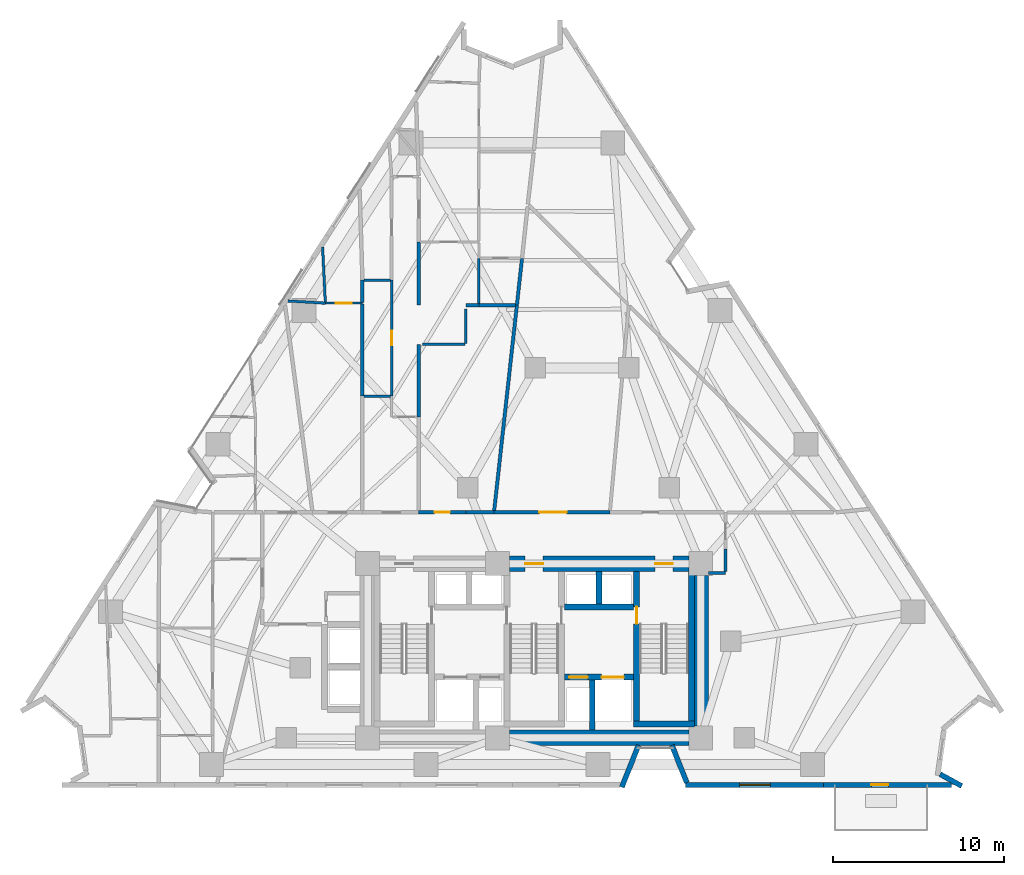
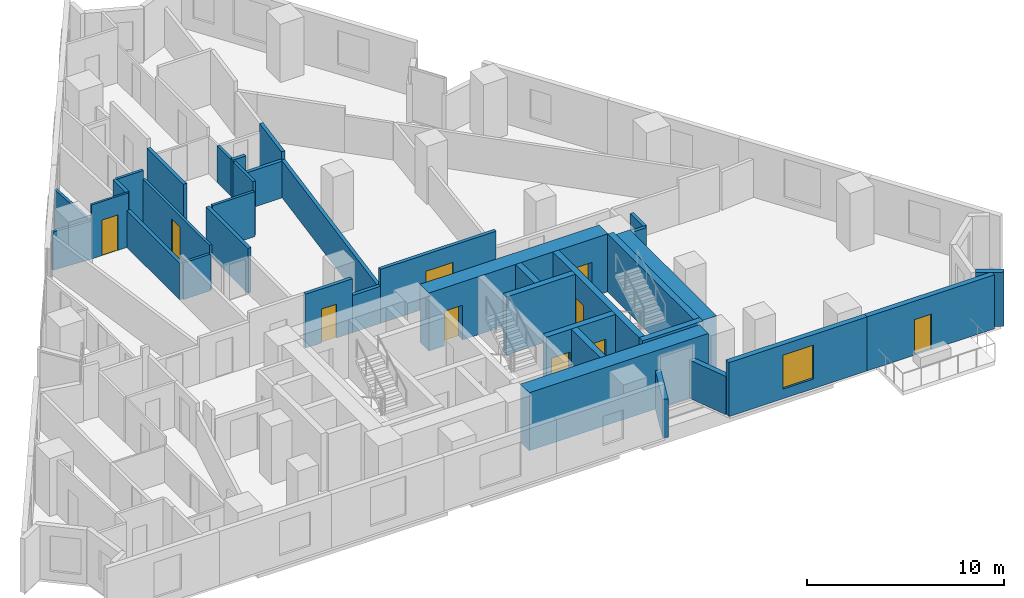
# One storey, part 8 of 13: 37 walls, 10 doors, 1 window, 11 openings.
"""IFC4 building model written with IfcOpenShell, lengths in metres."""

from ifc_helpers import new_model, si_unit, direction, frame, frame_2d, origin, place, context, subcontext, project, spatial, rectangle, extrude, material, layer, layer_set, type_object, element, fill, save


model = new_model("IFC4")

# Units and contexts
model_context = context("Model", 3, precision=1e-05, world=origin(), true_north=direction((0.0, 1.0)))
body_context = subcontext(model_context, "Body", "Model", "MODEL_VIEW")
ifc_project = project(units=[si_unit("LENGTHUNIT", "METRE"), si_unit("AREAUNIT", "SQUARE_METRE"), si_unit("VOLUMEUNIT", "CUBIC_METRE"), si_unit("PLANEANGLEUNIT", "RADIAN"), si_unit("MASSUNIT", "GRAM", prefix="KILO")], contexts=[model_context])

# Site, building, storey
site_placement = place(None, origin())
site = spatial("IfcSite", under=ifc_project, at=site_placement, CompositionType="ELEMENT")
building_placement = place(site_placement, origin())
building = spatial("IfcBuilding", under=site, at=building_placement, Name="Almagre Mirador Tower", CompositionType="ELEMENT")
storey_placement = place(building_placement, frame((0.0, 0.0, 42.60009765625)))
storey = spatial("IfcBuildingStorey", under=building, at=storey_placement, Name="L09", CompositionType="ELEMENT", Elevation=42.60009765625)

# Wall
ifc_material_1 = material(Name="Precast concrete C50/60", Category="concrete")
ifc_layer_1 = layer(ifc_material_1, 0.300048828125)
ifc_layer_set_1 = layer_set([ifc_layer_1], Name="Precast concrete C50/60")
wall_type_1 = type_object("IfcWallType", Name="WAL-EXT-300", PredefinedType="SOLIDWALL", material=ifc_layer_set_1)
wall_1_placement = place(storey_placement, frame((61.055419921875, 2.42626953125, 0.0), z_axis=(0.0, 0.0, 1.0), x_axis=(0.877287752989, -0.479964788767, 0.0)))
element("IfcWall", 1, at=wall_1_placement, inside=storey, type_object=wall_type_1, Name="L09 expressed almagre precast frame wall 21", PredefinedType="SOLIDWALL", context=body_context, shape_type="SweptSolid", body=[
    extrude(rectangle(XDim=1.444580078125, YDim=0.300048828125, at=frame_2d((0.72216796875, 0.0))), origin(), (0.0, 0.0, 1.0), 3.349853515625),
])

# Wall, opening, door
wall_2_placement = place(storey_placement, frame((61.72998046875, 1.800048828125, 0.0), z_axis=(0.0, 0.0, 1.0), x_axis=(-1.0, 0.0, 0.0)))
wall_2 = element("IfcWall", 2, at=wall_2_placement, inside=storey, type_object=wall_type_1, Name="L09 expressed almagre precast frame wall 22", PredefinedType="SOLIDWALL", context=body_context, shape_type="SweptSolid", body=[
    extrude(rectangle(XDim=7.488037109375, YDim=0.300048828125, at=frame_2d((3.744140625, 0.0))), origin(), (0.0, 0.0, 1.0), 3.349853515625),
])
opening_1_placement = place(wall_2_placement, frame((3.695556640625, 0.0, 0.0)))
opening_1 = element("IfcOpeningElement", 3, at=opening_1_placement, cuts=wall_2, Name="Opening BD-01", PredefinedType="OPENING", context=body_context, shape_type="SweptSolid", body=[
    extrude(rectangle(XDim=1.0, YDim=2.199951171875, at=frame_2d((0.5, 1.10009765625))), frame((0.0, 0.159902, 0.0), z_axis=(0.0, -1.0, 0.0), x_axis=(1.0, 0.0, 0.0)), (0.0, 0.0, 1.0), 0.320049),
])
ifc_material_2 = material(Name="Black anodized aluminium and laminated glass", Category="aluminium")
door_type_1 = type_object("IfcDoorType", Name="DOR-BAL-1000X2200", OperationType="NOTDEFINED", PredefinedType="DOOR", material=ifc_material_2)
door_1_placement = place(opening_1_placement, origin())
door_1 = element("IfcDoor", 4, at=door_1_placement, inside=storey, type_object=door_type_1, Name="DR-0270 L09 south balcony glazed door 1", OperationType="SINGLE_SWING_RIGHT", OverallHeight=2.199951171875, OverallWidth=1.0, PredefinedType="DOOR", context=body_context, shape_type="SweptSolid", body=[
    extrude(rectangle(XDim=1.0, YDim=2.199951171875, at=frame_2d((0.5, 1.10009765625))), frame((0.0, 0.02490234375, 0.0), z_axis=(0.0, -1.0, 0.0), x_axis=(1.0, 0.0, 0.0)), (0.0, 0.0, 1.0), 0.050048828125),
])
fill(opening_1, door_1)

# Wall, opening, window
wall_3_placement = place(storey_placement, frame((54.241943359375, 1.800048828125, 0.0), z_axis=(0.0, 0.0, 1.0), x_axis=(-1.0, 0.0, 0.0)))
wall_3 = element("IfcWall", 5, at=wall_3_placement, inside=storey, type_object=wall_type_1, Name="L09 expressed almagre precast frame wall 23", PredefinedType="SOLIDWALL", context=body_context, shape_type="SweptSolid", body=[
    extrude(rectangle(XDim=8.097900390625, YDim=0.300048828125, at=frame_2d((4.048828125, 0.0))), origin(), (0.0, 0.0, 1.0), 3.349853515625),
])
opening_2_placement = place(wall_3_placement, frame((3.125, 0.0, 0.60009765625)))
opening_2 = element("IfcOpeningElement", 6, at=opening_2_placement, cuts=wall_3, Name="Opening WN-01", PredefinedType="OPENING", context=body_context, shape_type="SweptSolid", body=[
    extrude(rectangle(XDim=1.800048828125, YDim=2.10009765625, at=frame_2d((0.89990234375, 1.050048828125))), frame((0.0, 0.159902, 0.0), z_axis=(0.0, -1.0, 0.0), x_axis=(1.0, 0.0, 0.0)), (0.0, 0.0, 1.0), 0.320049),
])
ifc_material_3 = material(Name="Dark solar-control laminated hurricane glass", Category="glass")
window_type = type_object("IfcWindowType", Name="WIN-1800X2100", PartitioningType="DOUBLE_PANEL_VERTICAL", PredefinedType="WINDOW", material=ifc_material_3)
window_placement = place(opening_2_placement, origin())
window = element("IfcWindow", 7, at=window_placement, inside=storey, type_object=window_type, Name="L09 recessed hurricane window L09-RST-C", OverallHeight=2.10009765625, OverallWidth=1.800048828125, PartitioningType="SINGLE_PANEL", PredefinedType="WINDOW", context=body_context, shape_type="SweptSolid", body=[
    extrude(rectangle(XDim=1.800048828125, YDim=2.10009765625, at=frame_2d((0.89990234375, 1.050048828125))), frame((0.0, 0.030029296875, 0.0), z_axis=(0.0, -1.0, 0.0), x_axis=(1.0, 0.0, 0.0)), (0.0, 0.0, 1.0), 0.06005859375),
])
fill(opening_2, window)

# Walls
wall_4_placement = place(storey_placement, frame((46.234130859375, 1.92529296875, 0.0), z_axis=(0.0, 0.0, 1.0), x_axis=(-0.36946923074, 0.92924296475, 0.0)))
element("IfcWall", 8, at=wall_4_placement, inside=storey, type_object=wall_type_1, Name="L09 expressed almagre precast frame wall 24", PredefinedType="SOLIDWALL", context=body_context, shape_type="SweptSolid", body=[
    extrude(rectangle(XDim=2.366943359375, YDim=0.300048828125, at=frame_2d((1.18359375, 0.0))), origin(), (0.0, 0.0, 1.0), 2.375),
])
wall_5_placement = place(storey_placement, frame((43.408447265625, 4.124755859375, 0.0), z_axis=(0.0, 0.0, 1.0), x_axis=(-0.369477840539, -0.929239541426, 0.0)))
element("IfcWall", 9, at=wall_5_placement, inside=storey, type_object=wall_type_1, Name="L09 expressed almagre precast frame wall 25", PredefinedType="SOLIDWALL", context=body_context, shape_type="SweptSolid", body=[
    extrude(rectangle(XDim=2.641845703125, YDim=0.300048828125, at=frame_2d((1.32080078125, 0.0))), origin(), (0.0, 0.0, 1.0), 2.375),
])

# Wall, opening, door
ifc_material_4 = material(Name="Gypsum acoustic stud partition", Category="other")
ifc_layer_2 = layer(ifc_material_4, 0.125)
ifc_layer_set_2 = layer_set([ifc_layer_2], Name="Gypsum acoustic stud partition")
wall_type_2 = type_object("IfcWallType", Name="WAL-PRT-125-UTL", PredefinedType="PARTITIONING", material=ifc_layer_set_2)
wall_6_placement = place(storey_placement, frame((27.25, 29.989990234375, 0.0), z_axis=(0.0, 0.0, 1.0), x_axis=(-1.0, 0.0, 0.0)))
wall_6 = element("IfcWall", 10, at=wall_6_placement, inside=storey, type_object=wall_type_2, Name="L09 interior partition 056", PredefinedType="PARTITIONING", context=body_context, shape_type="SweptSolid", body=[
    extrude(rectangle(XDim=2.169921875, YDim=0.125, at=frame_2d((1.0849609375, 0.0))), origin(), (0.0, 0.0, 1.0), 3.349853515625),
])
opening_3_placement = place(wall_6_placement, frame((0.610107421875, 0.0, 0.0)))
opening_3 = element("IfcOpeningElement", 11, at=opening_3_placement, cuts=wall_6, Name="Opening UD-01", PredefinedType="OPENING", context=body_context, shape_type="SweptSolid", body=[
    extrude(rectangle(XDim=0.949951171875, YDim=2.199951171875, at=frame_2d((0.47509765625, 1.10009765625))), frame((0.0, 0.0725, 0.0), z_axis=(0.0, -1.0, 0.0), x_axis=(1.0, 0.0, 0.0)), (0.0, 0.0, 1.0), 0.145),
])
ifc_material_5 = material(Name="Solid American walnut timber", Category="wood")
door_type_2 = type_object("IfcDoorType", Name="DOR-UNR-950X2200", OperationType="NOTDEFINED", PredefinedType="DOOR", material=ifc_material_5)
door_2_placement = place(opening_3_placement, origin())
door_2 = element("IfcDoor", 12, at=door_2_placement, inside=storey, type_object=door_type_2, Name="DR-0293 L09 interior door L09-UH-ST to L09-UH-KT", OperationType="SINGLE_SWING_RIGHT", OverallHeight=2.199951171875, OverallWidth=0.949951171875, PredefinedType="DOOR", context=body_context, shape_type="SweptSolid", body=[
    extrude(rectangle(XDim=0.949951171875, YDim=2.199951171875, at=frame_2d((0.47509765625, 1.10009765625))), frame((0.0, 0.02490234375, 0.0), z_axis=(0.0, -1.0, 0.0), x_axis=(1.0, 0.0, 0.0)), (0.0, 0.0, 1.0), 0.050048828125),
])
fill(opening_3, door_2)

# Walls
ifc_material_6 = material(Name="Gypsum acoustic stud partition", Category="other")
ifc_layer_3 = layer(ifc_material_6, 0.14990234375)
ifc_layer_set_3 = layer_set([ifc_layer_3], Name="Gypsum acoustic stud partition")
wall_type_3 = type_object("IfcWallType", Name="WAL-PRT-150-STD", PredefinedType="PARTITIONING", material=ifc_layer_set_3)
wall_7_placement = place(storey_placement, frame((25.080078125, 29.989990234375, 0.0), z_axis=(0.0, 0.0, 1.0), x_axis=(-0.998242794365, 0.059256421583, 0.0)))
element("IfcWall", 13, at=wall_7_placement, inside=storey, type_object=wall_type_3, Name="L09 interior partition 057", PredefinedType="PARTITIONING", context=body_context, shape_type="SweptSolid", body=[
    extrude(rectangle(XDim=2.196044921875, YDim=0.14990234375, at=frame_2d((1.09814453125, 0.0))), origin(), (0.0, 0.0, 1.0), 2.369873046875),
])
wall_8_placement = place(storey_placement, frame((24.91796875, 33.2880859375, 0.0), z_axis=(0.0, 0.0, 1.0), x_axis=(0.04928658055, -0.998784677985, 0.0)))
element("IfcWall", 14, at=wall_8_placement, inside=storey, type_object=wall_type_3, Name="L09 interior partition 060", PredefinedType="PARTITIONING", context=body_context, shape_type="SweptSolid", body=[
    extrude(rectangle(XDim=3.25439453125, YDim=0.14990234375, at=frame_2d((1.627197265625, 0.0))), origin(), (0.0, 0.0, 1.0), 2.369873046875),
])

# Wall, opening, door
wall_9_placement = place(storey_placement, frame((28.9599609375, 31.340087890625, 0.0), z_axis=(0.0, 0.0, 1.0), x_axis=(0.0, -1.0, 0.0)))
wall_9 = element("IfcWall", 15, at=wall_9_placement, inside=storey, type_object=wall_type_3, Name="L09 interior partition 081", PredefinedType="PARTITIONING", context=body_context, shape_type="SweptSolid", body=[
    extrude(rectangle(XDim=6.7900390625, YDim=0.14990234375, at=frame_2d((3.39501953125, 0.0))), origin(), (0.0, 0.0, 1.0), 2.786865234375),
])
opening_4_placement = place(wall_9_placement, frame((2.969970703125, 0.0, 0.0)))
opening_4 = element("IfcOpeningElement", 16, at=opening_4_placement, cuts=wall_9, Name="Opening UD-04", PredefinedType="OPENING", context=body_context, shape_type="SweptSolid", body=[
    extrude(rectangle(XDim=0.85009765625, YDim=2.10009765625, at=frame_2d((0.425048828125, 1.050048828125))), frame((0.0, 0.084951, 0.0), z_axis=(0.0, -1.0, 0.0), x_axis=(1.0, 0.0, 0.0)), (0.0, 0.0, 1.0), 0.169902),
])
ifc_material_7 = material(Name="Moisture-resistant oak timber", Category="wood")
door_type_3 = type_object("IfcDoorType", Name="DOR-UNR-850X2100", OperationType="NOTDEFINED", PredefinedType="DOOR", material=ifc_material_7)
door_3_placement = place(opening_4_placement, origin())
door_3 = element("IfcDoor", 17, at=door_3_placement, inside=storey, type_object=door_type_3, Name="DR-0296 L09 interior door L09-UN-LV to L09-UN-HB", OperationType="SINGLE_SWING_RIGHT", OverallHeight=2.10009765625, OverallWidth=0.85009765625, PredefinedType="DOOR", context=body_context, shape_type="SweptSolid", body=[
    extrude(rectangle(XDim=0.85009765625, YDim=2.10009765625, at=frame_2d((0.425048828125, 1.050048828125))), frame((0.0, 0.02490234375, 0.0), z_axis=(0.0, -1.0, 0.0), x_axis=(1.0, 0.0, 0.0)), (0.0, 0.0, 1.0), 0.050048828125),
])
fill(opening_4, door_3)

# Walls
wall_10_placement = place(storey_placement, frame((27.3349609375, 24.550048828125, 0.0), z_axis=(0.0, 0.0, 1.0), x_axis=(1.0, 0.0, 0.0)))
element("IfcWall", 18, at=wall_10_placement, inside=storey, type_object=wall_type_3, Name="L09 interior partition 088", PredefinedType="PARTITIONING", context=body_context, shape_type="SweptSolid", body=[
    extrude(rectangle(XDim=1.56494140625, YDim=0.14990234375, at=frame_2d((0.782470703125, 0.0))), origin(), (0.0, 0.0, 1.0), 2.27880859375),
])
wall_11_placement = place(storey_placement, frame((28.89990234375, 31.340087890625, 0.0), z_axis=(0.0, 0.0, 1.0), x_axis=(-1.0, 0.0, 0.0)))
element("IfcWall", 19, at=wall_11_placement, inside=storey, type_object=wall_type_3, Name="L09 interior partition 089", PredefinedType="PARTITIONING", context=body_context, shape_type="SweptSolid", body=[
    extrude(rectangle(XDim=1.56494140625, YDim=0.14990234375, at=frame_2d((0.782470703125, 0.0))), origin(), (0.0, 0.0, 1.0), 3.349853515625),
])
wall_12_placement = place(storey_placement, frame((34.070068359375, 29.965087890625, 0.0), z_axis=(0.0, 0.0, 1.0), x_axis=(0.0, 1.0, 0.0)))
element("IfcWall", 20, at=wall_12_placement, inside=storey, type_object=wall_type_3, Name="L09 interior partition 098", PredefinedType="PARTITIONING", context=body_context, shape_type="SweptSolid", body=[
    extrude(rectangle(XDim=2.64501953125, YDim=0.14990234375, at=frame_2d((1.322509765625, 0.0))), origin(), (0.0, 0.0, 1.0), 2.27880859375),
])
wall_13_placement = place(storey_placement, frame((33.300048828125, 29.639892578125, 0.0), z_axis=(0.0, 0.0, 1.0), x_axis=(0.0, -1.0, 0.0)))
element("IfcWall", 21, at=wall_13_placement, inside=storey, type_object=wall_type_3, Name="L09 interior partition 120", PredefinedType="PARTITIONING", context=body_context, shape_type="SweptSolid", body=[
    extrude(rectangle(XDim=2.019775390625, YDim=0.14990234375, at=frame_2d((1.009765625, 0.0))), origin(), (0.0, 0.0, 1.0), 3.349853515625),
])
wall_14_placement = place(storey_placement, frame((33.260009765625, 27.580078125, 0.0), z_axis=(0.0, 0.0, 1.0), x_axis=(-1.0, 0.0, 0.0)))
element("IfcWall", 22, at=wall_14_placement, inside=storey, type_object=wall_type_3, Name="L09 interior partition 121", PredefinedType="PARTITIONING", context=body_context, shape_type="SweptSolid", body=[
    extrude(rectangle(XDim=2.47998046875, YDim=0.14990234375, at=frame_2d((1.239990234375, 0.0))), origin(), (0.0, 0.0, 1.0), 2.786865234375),
])
ifc_material_8 = material(Name="Gypsum acoustic stud partition", Category="other")
ifc_layer_4 = layer(ifc_material_8, 0.199951171875)
ifc_layer_set_4 = layer_set([ifc_layer_4], Name="Gypsum acoustic stud partition")
wall_type_4 = type_object("IfcWallType", Name="WAL-PRT-200-EI60", PredefinedType="PARTITIONING", material=ifc_layer_set_4)
wall_15_placement = place(storey_placement, frame((47.5, 14.199951171875, 0.0), z_axis=(0.0, 0.0, 1.0), x_axis=(1.0, 0.0, 0.0)))
element("IfcWall", 23, at=wall_15_placement, inside=storey, type_object=wall_type_4, Name="L09 interior partition 003", PredefinedType="PARTITIONING", context=body_context, shape_type="SweptSolid", body=[
    extrude(rectangle(XDim=1.0, YDim=0.199951171875, at=frame_2d((0.5, 0.0))), origin(), (0.0, 0.0, 1.0), 3.349853515625),
])

# Wall, opening, door
wall_16_placement = place(storey_placement, frame((33.300048828125, 17.75, 0.0), z_axis=(0.0, 0.0, 1.0), x_axis=(-1.0, 0.0, 0.0)))
wall_16 = element("IfcWall", 24, at=wall_16_placement, inside=storey, type_object=wall_type_4, Name="L09 interior partition 010", PredefinedType="PARTITIONING", context=body_context, shape_type="SweptSolid", body=[
    extrude(rectangle(XDim=2.760009765625, YDim=0.199951171875, at=frame_2d((1.3798828125, 0.0))), origin(), (0.0, 0.0, 1.0), 3.349853515625),
])
opening_5_placement = place(wall_16_placement, frame((0.929931640625, 0.0, 0.0)))
opening_5 = element("IfcOpeningElement", 25, at=opening_5_placement, cuts=wall_16, Name="Opening ID-03", PredefinedType="OPENING", context=body_context, shape_type="SweptSolid", body=[
    extrude(rectangle(XDim=0.89990234375, YDim=2.10009765625, at=frame_2d((0.449951171875, 1.050048828125))), frame((0.0, 0.110098, 0.0), z_axis=(0.0, -1.0, 0.0), x_axis=(1.0, 0.0, 0.0)), (0.0, 0.0, 1.0), 0.219951),
])
ifc_material_9 = material(Name="Fire-rated hollow steel", Category="steel")
door_type_4 = type_object("IfcDoorType", Name="DOR-FD60-900X2100", OperationType="NOTDEFINED", PredefinedType="DOOR", material=ifc_material_9)
door_4_placement = place(opening_5_placement, origin())
door_4 = element("IfcDoor", 26, at=door_4_placement, inside=storey, type_object=door_type_4, Name="DR-0280 L09 interior door L09-RCOR to L09-UJ-ST", OperationType="SINGLE_SWING_RIGHT", OverallHeight=2.10009765625, OverallWidth=0.89990234375, PredefinedType="DOOR", context=body_context, shape_type="SweptSolid", body=[
    extrude(rectangle(XDim=0.89990234375, YDim=2.10009765625, at=frame_2d((0.449951171875, 1.050048828125))), frame((0.0, 0.02490234375, 0.0), z_axis=(0.0, -1.0, 0.0), x_axis=(1.0, 0.0, 0.0)), (0.0, 0.0, 1.0), 0.050048828125),
])
fill(opening_5, door_4)

wall_17_placement = place(storey_placement, frame((41.72998046875, 17.75, 0.0), z_axis=(0.0, 0.0, 1.0), x_axis=(-1.0, 0.0, 0.0)))
wall_17 = element("IfcWall", 27, at=wall_17_placement, inside=storey, type_object=wall_type_4, Name="L09 interior partition 012", PredefinedType="PARTITIONING", context=body_context, shape_type="SweptSolid", body=[
    extrude(rectangle(XDim=6.780029296875, YDim=0.199951171875, at=frame_2d((3.39013671875, 0.0))), origin(), (0.0, 0.0, 1.0), 3.349853515625),
])
opening_6_placement = place(wall_17_placement, frame((2.5302734375, 0.0, 0.0)))
opening_6 = element("IfcOpeningElement", 28, at=opening_6_placement, cuts=wall_17, Name="Opening ID-05", PredefinedType="OPENING", context=body_context, shape_type="SweptSolid", body=[
    extrude(rectangle(XDim=1.60009765625, YDim=2.300048828125, at=frame_2d((0.800048828125, 1.14990234375))), frame((0.0, 0.110098, 0.0), z_axis=(0.0, -1.0, 0.0), x_axis=(1.0, 0.0, 0.0)), (0.0, 0.0, 1.0), 0.219951),
])
ifc_material_10 = material(Name="Fire-rated acoustic timber", Category="wood")
door_type_5 = type_object("IfcDoorType", Name="DOR-FD60-1600X2300", OperationType="DOUBLE_DOOR_SINGLE_SWING", PredefinedType="DOOR", material=ifc_material_10)
door_5_placement = place(opening_6_placement, origin())
door_5 = element("IfcDoor", 29, at=door_5_placement, inside=storey, type_object=door_type_5, Name="DR-0277 L09 interior door L09-RCOR to L09-RST-K", OperationType="DOUBLE_DOOR_SINGLE_SWING", OverallHeight=2.300048828125, OverallWidth=1.60009765625, PredefinedType="DOOR", context=body_context, shape_type="SweptSolid", body=[
    extrude(rectangle(XDim=1.60009765625, YDim=2.300048828125, at=frame_2d((0.800048828125, 1.14990234375))), frame((0.0, 0.02490234375, 0.0), z_axis=(0.0, -1.0, 0.0), x_axis=(1.0, 0.0, 0.0)), (0.0, 0.0, 1.0), 0.050048828125),
])
fill(opening_6, door_5)

# Walls
wall_18_placement = place(storey_placement, frame((27.25, 24.550048828125, 0.0), z_axis=(0.0, 0.0, 1.0), x_axis=(0.0, 1.0, 0.0)))
element("IfcWall", 30, at=wall_18_placement, inside=storey, type_object=wall_type_4, Name="L09 interior partition 058", PredefinedType="PARTITIONING", context=body_context, shape_type="SweptSolid", body=[
    extrude(rectangle(XDim=5.392333984375, YDim=0.199951171875, at=frame_2d((2.6962890625, 0.0))), origin(), (0.0, 0.0, 1.0), 2.27880859375),
])
wall_19_placement = place(storey_placement, frame((27.25, 30.03759765625, 0.0), z_axis=(0.0, 0.0, 1.0), x_axis=(0.0, 1.0, 0.0)))
element("IfcWall", 31, at=wall_19_placement, inside=storey, type_object=wall_type_4, Name="L09 interior partition 061", PredefinedType="PARTITIONING", context=body_context, shape_type="SweptSolid", body=[
    extrude(rectangle(XDim=1.302490234375, YDim=0.199951171875, at=frame_2d((0.6513671875, 0.0))), origin(), (0.0, 0.0, 1.0), 3.349853515625),
])
wall_20_placement = place(storey_placement, frame((34.959228515625, 17.83447265625, 0.0), z_axis=(0.0, 0.0, 1.0), x_axis=(0.109814601961, 0.993952087978, 0.0)))
element("IfcWall", 32, at=wall_20_placement, inside=storey, type_object=wall_type_4, Name="L09 interior partition 067", PredefinedType="PARTITIONING", context=body_context, shape_type="SweptSolid", body=[
    extrude(rectangle(XDim=12.11865234375, YDim=0.199951171875, at=frame_2d((6.059326171875, 0.0))), origin(), (0.0, 0.0, 1.0), 2.27880859375),
])
wall_21_placement = place(storey_placement, frame((34.070068359375, 29.8798828125, 0.0), z_axis=(0.0, 0.0, 1.0), x_axis=(-1.0, 0.0, 0.0)))
element("IfcWall", 33, at=wall_21_placement, inside=storey, type_object=wall_type_4, Name="L09 interior partition 068", PredefinedType="PARTITIONING", context=body_context, shape_type="SweptSolid", body=[
    extrude(rectangle(XDim=0.77001953125, YDim=0.199951171875, at=frame_2d((0.385009765625, 0.0))), origin(), (0.0, 0.0, 1.0), 3.349853515625),
])
wall_22_placement = place(storey_placement, frame((36.205078125, 29.8798828125, 0.0), z_axis=(0.0, 0.0, 1.0), x_axis=(-1.0, 0.0, 0.0)))
element("IfcWall", 34, at=wall_22_placement, inside=storey, type_object=wall_type_4, Name="L09 interior partition 069", PredefinedType="PARTITIONING", context=body_context, shape_type="SweptSolid", body=[
    extrude(rectangle(XDim=2.135009765625, YDim=0.199951171875, at=frame_2d((1.0673828125, 0.0))), origin(), (0.0, 0.0, 1.0), 2.27880859375),
])
wall_23_placement = place(storey_placement, frame((30.5400390625, 27.580078125, 0.0), z_axis=(0.0, 0.0, 1.0), x_axis=(0.0, -1.0, 0.0)))
element("IfcWall", 35, at=wall_23_placement, inside=storey, type_object=wall_type_4, Name="L09 interior partition 070", PredefinedType="PARTITIONING", context=body_context, shape_type="SweptSolid", body=[
    extrude(rectangle(XDim=4.25, YDim=0.199951171875, at=frame_2d((2.125, 0.0))), origin(), (0.0, 0.0, 1.0), 2.786865234375),
])
wall_24_placement = place(storey_placement, frame((36.590087890625, 32.610107421875, 0.0), z_axis=(0.0, 0.0, 1.0), x_axis=(-0.109241237924, -0.994015267457, 0.0)))
element("IfcWall", 36, at=wall_24_placement, inside=storey, type_object=wall_type_4, Name="L09 interior partition 075", PredefinedType="PARTITIONING", context=body_context, shape_type="SweptSolid", body=[
    extrude(rectangle(XDim=2.74658203125, YDim=0.199951171875, at=frame_2d((1.373291015625, 0.0))), origin(), (0.0, 0.0, 1.0), 2.786865234375),
])
wall_25_placement = place(storey_placement, frame((30.5400390625, 29.8798828125, 0.0), z_axis=(0.0, 0.0, 1.0), x_axis=(0.0, 1.0, 0.0)))
element("IfcWall", 37, at=wall_25_placement, inside=storey, type_object=wall_type_4, Name="L09 interior partition 087", PredefinedType="PARTITIONING", context=body_context, shape_type="SweptSolid", body=[
    extrude(rectangle(XDim=3.690185546875, YDim=0.199951171875, at=frame_2d((1.84521484375, 0.0))), origin(), (0.0, 0.0, 1.0), 2.786865234375),
])
wall_26_placement = place(storey_placement, frame((48.5, 14.284912109375, 0.0), z_axis=(0.0, 0.0, 1.0), x_axis=(0.0, 1.0, 0.0)))
element("IfcWall", 38, at=wall_26_placement, inside=storey, type_object=wall_type_4, Name="L09 interior partition 111", PredefinedType="PARTITIONING", context=body_context, shape_type="SweptSolid", body=[
    extrude(rectangle(XDim=1.315185546875, YDim=0.199951171875, at=frame_2d((0.65771484375, 0.0))), origin(), (0.0, 0.0, 1.0), 3.349853515625),
])
wall_27_placement = place(storey_placement, frame((34.949951171875, 17.75, 0.0), z_axis=(0.0, 0.0, 1.0), x_axis=(-1.0, 0.0, 0.0)))
element("IfcWall", 39, at=wall_27_placement, inside=storey, type_object=wall_type_4, Name="L09 interior partition 112", PredefinedType="PARTITIONING", context=body_context, shape_type="SweptSolid", body=[
    extrude(rectangle(XDim=1.64990234375, YDim=0.199951171875, at=frame_2d((0.824951171875, 0.0))), origin(), (0.0, 0.0, 1.0), 2.308837890625),
])

# Wall, opening, door
ifc_material_11 = material(Name="Concrete C60/75", Category="concrete")
ifc_layer_5 = layer(ifc_material_11, 0.35009765625)
ifc_layer_set_5 = layer_set([ifc_layer_5], Name="Concrete C60/75")
wall_type_5 = type_object("IfcWallType", Name="WAL-SHF-350", PredefinedType="SOLIDWALL", material=ifc_layer_set_5)
wall_28_placement = place(storey_placement, frame((43.300048828125, 5.199951171875, 0.0), z_axis=(0.0, 0.0, 1.0), x_axis=(0.0, 1.0, 0.0)))
wall_28 = element("IfcWall", 40, at=wall_28_placement, inside=storey, type_object=wall_type_5, Name="L09 shaft wall ST3-W", PredefinedType="SOLIDWALL", context=body_context, shape_type="SweptSolid", body=[
    extrude(rectangle(XDim=9.10009765625, YDim=0.35009765625, at=frame_2d((4.550048828125, 0.0))), origin(), (0.0, 0.0, 1.0), 3.599853515625),
])
opening_7_placement = place(wall_28_placement, frame((6.02001953125, 0.0, 0.0)))
opening_7 = element("IfcOpeningElement", 41, at=opening_7_placement, cuts=wall_28, Name="Opening FD-01", PredefinedType="OPENING", context=body_context, shape_type="SweptSolid", body=[
    extrude(rectangle(XDim=1.0, YDim=2.14990234375, at=frame_2d((0.5, 1.074951171875))), frame((0.0, 0.185049, 0.0), z_axis=(0.0, -1.0, 0.0), x_axis=(1.0, 0.0, 0.0)), (0.0, 0.0, 1.0), 0.370098),
])
ifc_material_12 = material(Name="Fire-rated hollow steel", Category="steel")
door_type_6 = type_object("IfcDoorType", Name="DOR-FFL-1000X2150", OperationType="NOTDEFINED", PredefinedType="DOOR", material=ifc_material_12)
door_6_placement = place(opening_7_placement, origin())
door_6 = element("IfcDoor", 42, at=door_6_placement, inside=storey, type_object=door_type_6, Name="DR-0275 L09 FFL2-ST3 smokeproof door", OperationType="SINGLE_SWING_LEFT", OverallHeight=2.14990234375, OverallWidth=1.0, PredefinedType="DOOR", context=body_context, shape_type="SweptSolid", body=[
    extrude(rectangle(XDim=1.0, YDim=2.14990234375, at=frame_2d((0.5, 1.074951171875))), frame((0.0, 0.02490234375, 0.0), z_axis=(0.0, -1.0, 0.0), x_axis=(1.0, 0.0, 0.0)), (0.0, 0.0, 1.0), 0.050048828125),
])
fill(opening_7, door_6)

# Walls
wall_29_placement = place(storey_placement, frame((46.5, 5.199951171875, 0.0), z_axis=(0.0, 0.0, 1.0), x_axis=(0.0, 1.0, 0.0)))
element("IfcWall", 43, at=wall_29_placement, inside=storey, type_object=wall_type_5, Name="L09 shaft wall ST3-E", PredefinedType="SOLIDWALL", context=body_context, shape_type="SweptSolid", body=[
    extrude(rectangle(XDim=9.10009765625, YDim=0.35009765625, at=frame_2d((4.550048828125, 0.0))), origin(), (0.0, 0.0, 1.0), 3.599853515625),
])
wall_30_placement = place(storey_placement, frame((43.125, 5.375, 0.0), z_axis=(0.0, 0.0, 1.0), x_axis=(1.0, 0.0, 0.0)))
element("IfcWall", 44, at=wall_30_placement, inside=storey, type_object=wall_type_5, Name="L09 shaft wall ST3-S", PredefinedType="SOLIDWALL", context=body_context, shape_type="SweptSolid", body=[
    extrude(rectangle(XDim=3.550048828125, YDim=0.35009765625, at=frame_2d((1.77490234375, 0.0))), origin(), (0.0, 0.0, 1.0), 3.599853515625),
])

# Wall, openings, doors
wall_31_placement = place(storey_placement, frame((39.074951171875, 8.10009765625, 0.0), z_axis=(0.0, 0.0, 1.0), x_axis=(1.0, 0.0, 0.0)))
wall_31 = element("IfcWall", 45, at=wall_31_placement, inside=storey, type_object=wall_type_5, Name="L09 shaft wall FSAE2-N", PredefinedType="SOLIDWALL", context=body_context, shape_type="SweptSolid", body=[
    extrude(rectangle(XDim=4.050048828125, YDim=0.35009765625, at=frame_2d((2.02490234375, 0.0))), origin(), (0.0, 0.0, 1.0), 3.599853515625),
])
opening_8_placement = place(wall_31_placement, frame((2.175048828125, 0.0, 0.0)))
opening_8 = element("IfcOpeningElement", 46, at=opening_8_placement, cuts=wall_31, Name="Opening LD-03", PredefinedType="OPENING", context=body_context, shape_type="SweptSolid", body=[
    extrude(rectangle(XDim=1.300048828125, YDim=2.25, at=frame_2d((0.64990234375, 1.125))), frame((0.0, 0.185049, 0.0), z_axis=(0.0, -1.0, 0.0), x_axis=(1.0, 0.0, 0.0)), (0.0, 0.0, 1.0), 0.370098),
])
opening_9_placement = place(wall_31_placement, frame((0.27490234375, 0.0, 0.0)))
opening_9 = element("IfcOpeningElement", 47, at=opening_9_placement, cuts=wall_31, Name="Opening LD-01", PredefinedType="OPENING", context=body_context, shape_type="SweptSolid", body=[
    extrude(rectangle(XDim=1.10009765625, YDim=2.199951171875, at=frame_2d((0.550048828125, 1.10009765625))), frame((0.0, 0.185049, 0.0), z_axis=(0.0, -1.0, 0.0), x_axis=(1.0, 0.0, 0.0)), (0.0, 0.0, 1.0), 0.370098),
])
ifc_material_13 = material(Name="Hollow stainless steel", Category="steel")
door_type_7 = type_object("IfcDoorType", Name="DOR-LD-1100X2200", OperationType="DOUBLE_DOOR_SLIDING", PredefinedType="DOOR", material=ifc_material_13)
door_7_placement = place(opening_9_placement, origin())
door_7 = element("IfcDoor", 48, at=door_7_placement, inside=storey, type_object=door_type_7, Name="DR-0310 L09 PL-L2 lift landing door", OperationType="DOUBLE_DOOR_SLIDING", OverallHeight=2.199951171875, OverallWidth=1.10009765625, PredefinedType="DOOR", context=body_context, shape_type="SweptSolid", body=[
    extrude(rectangle(XDim=1.10009765625, YDim=2.199951171875, at=frame_2d((0.550048828125, 1.10009765625))), frame((0.0, 0.02490234375, 0.0), z_axis=(0.0, -1.0, 0.0), x_axis=(1.0, 0.0, 0.0)), (0.0, 0.0, 1.0), 0.050048828125),
])
fill(opening_9, door_7)
ifc_material_14 = material(Name="Hollow stainless steel", Category="steel")
door_type_8 = type_object("IfcDoorType", Name="DOR-LD-1300X2250", OperationType="DOUBLE_DOOR_SLIDING", PredefinedType="DOOR", material=ifc_material_14)
door_8_placement = place(opening_8_placement, origin())
door_8 = element("IfcDoor", 49, at=door_8_placement, inside=storey, type_object=door_type_8, Name="DR-0308 L09 FSAE-2 lift landing door", OperationType="DOUBLE_DOOR_SLIDING", OverallHeight=2.25, OverallWidth=1.300048828125, PredefinedType="DOOR", context=body_context, shape_type="SweptSolid", body=[
    extrude(rectangle(XDim=1.300048828125, YDim=2.25, at=frame_2d((0.64990234375, 1.125))), frame((0.0, 0.02490234375, 0.0), z_axis=(0.0, -1.0, 0.0), x_axis=(1.0, 0.0, 0.0)), (0.0, 0.0, 1.0), 0.050048828125),
])
fill(opening_8, door_8)

# Walls
wall_32_placement = place(storey_placement, frame((40.699951171875, 5.0, 0.0), z_axis=(0.0, 0.0, 1.0), x_axis=(0.0, 1.0, 0.0)))
element("IfcWall", 50, at=wall_32_placement, inside=storey, type_object=wall_type_5, Name="L09 shaft wall FSAE2-W", PredefinedType="SOLIDWALL", context=body_context, shape_type="SweptSolid", body=[
    extrude(rectangle(XDim=2.925048828125, YDim=0.35009765625, at=frame_2d((1.46240234375, 0.0))), origin(), (0.0, 0.0, 1.0), 3.599853515625),
])
wall_33_placement = place(storey_placement, frame((39.074951171875, 12.199951171875, 0.0), z_axis=(0.0, 0.0, 1.0), x_axis=(1.0, 0.0, 0.0)))
element("IfcWall", 51, at=wall_33_placement, inside=storey, type_object=wall_type_5, Name="L09 shaft wall PLH-S", PredefinedType="SOLIDWALL", context=body_context, shape_type="SweptSolid", body=[
    extrude(rectangle(XDim=4.050048828125, YDim=0.35009765625, at=frame_2d((2.02490234375, 0.0))), origin(), (0.0, 0.0, 1.0), 3.599853515625),
])
wall_34_placement = place(storey_placement, frame((41.10009765625, 12.375, 0.0), z_axis=(0.0, 0.0, 1.0), x_axis=(0.0, 1.0, 0.0)))
element("IfcWall", 52, at=wall_34_placement, inside=storey, type_object=wall_type_5, Name="L09 shaft wall PLH-M", PredefinedType="SOLIDWALL", context=body_context, shape_type="SweptSolid", body=[
    extrude(rectangle(XDim=1.925048828125, YDim=0.35009765625, at=frame_2d((0.96240234375, 0.0))), origin(), (0.0, 0.0, 1.0), 3.599853515625),
])
ifc_material_15 = material(Name="Concrete C70/85", Category="concrete")
ifc_layer_6 = layer(ifc_material_15, 0.89990234375)
ifc_layer_set_6 = layer_set([ifc_layer_6], Name="Concrete C70/85")
wall_type_6 = type_object("IfcWallType", Name="WAL-SHR-900", PredefinedType="SHEAR", material=ifc_layer_set_6)
wall_35_placement = place(storey_placement, frame((35.85009765625, 4.550048828125, 0.0), z_axis=(0.0, 0.0, 1.0), x_axis=(1.0, 0.0, 0.0)))
element("IfcWall", 53, at=wall_35_placement, inside=storey, type_object=wall_type_6, Name="L09 core shear wall S2", PredefinedType="SHEAR", context=body_context, shape_type="SweptSolid", body=[
    extrude(rectangle(XDim=10.5, YDim=0.89990234375, at=frame_2d((5.25, 0.0))), origin(), (0.0, 0.0, 1.0), 3.599853515625),
])

# Wall, openings, doors
wall_36_placement = place(storey_placement, frame((35.85009765625, 14.75, 0.0), z_axis=(0.0, 0.0, 1.0), x_axis=(1.0, 0.0, 0.0)))
wall_36 = element("IfcWall", 54, at=wall_36_placement, inside=storey, type_object=wall_type_6, Name="L09 core shear wall N2", PredefinedType="SHEAR", context=body_context, shape_type="SweptSolid", body=[
    extrude(rectangle(XDim=10.5, YDim=0.89990234375, at=frame_2d((5.25, 0.0))), origin(), (0.0, 0.0, 1.0), 3.599853515625),
])
opening_10_placement = place(wall_36_placement, frame((0.925048828125, 0.0, 0.0)))
opening_10 = element("IfcOpeningElement", 55, at=opening_10_placement, cuts=wall_36, Name="Opening SD-01", PredefinedType="OPENING", context=body_context, shape_type="SweptSolid", body=[
    extrude(rectangle(XDim=1.050048828125, YDim=2.14990234375, at=frame_2d((0.52490234375, 1.074951171875))), frame((0.0, 0.459951, 0.0), z_axis=(0.0, -1.0, 0.0), x_axis=(1.0, 0.0, 0.0)), (0.0, 0.0, 1.0), 0.919902),
])
opening_11_placement = place(wall_36_placement, frame((8.52490234375, 0.0, 0.0)))
opening_11 = element("IfcOpeningElement", 56, at=opening_11_placement, cuts=wall_36, Name="Opening SD-01", PredefinedType="OPENING", context=body_context, shape_type="SweptSolid", body=[
    extrude(rectangle(XDim=1.050048828125, YDim=2.14990234375, at=frame_2d((0.52490234375, 1.074951171875))), frame((0.0, 0.459951, 0.0), z_axis=(0.0, -1.0, 0.0), x_axis=(1.0, 0.0, 0.0)), (0.0, 0.0, 1.0), 0.919902),
])
ifc_material_16 = material(Name="Fire-rated hollow steel", Category="steel")
door_type_9 = type_object("IfcDoorType", Name="DOR-ST-1050X2150", OperationType="NOTDEFINED", PredefinedType="DOOR", material=ifc_material_16)
door_9_placement = place(opening_10_placement, origin())
door_9 = element("IfcDoor", 57, at=door_9_placement, inside=storey, type_object=door_type_9, Name="DR-0312 L09 protected exit stair ST-2 door", OperationType="SINGLE_SWING_RIGHT", OverallHeight=2.14990234375, OverallWidth=1.050048828125, PredefinedType="DOOR", context=body_context, shape_type="SweptSolid", body=[
    extrude(rectangle(XDim=1.050048828125, YDim=2.14990234375, at=frame_2d((0.52490234375, 1.074951171875))), frame((0.0, 0.02490234375, 0.0), z_axis=(0.0, -1.0, 0.0), x_axis=(1.0, 0.0, 0.0)), (0.0, 0.0, 1.0), 0.050048828125),
])
fill(opening_10, door_9)
door_10_placement = place(opening_11_placement, origin())
door_10 = element("IfcDoor", 58, at=door_10_placement, inside=storey, type_object=door_type_9, Name="DR-0313 L09 protected exit stair ST-3 door", OperationType="SINGLE_SWING_LEFT", OverallHeight=2.14990234375, OverallWidth=1.050048828125, PredefinedType="DOOR", context=body_context, shape_type="SweptSolid", body=[
    extrude(rectangle(XDim=1.050048828125, YDim=2.14990234375, at=frame_2d((0.52490234375, 1.074951171875))), frame((0.0, 0.02490234375, 0.0), z_axis=(0.0, -1.0, 0.0), x_axis=(1.0, 0.0, 0.0)), (0.0, 0.0, 1.0), 0.050048828125),
])
fill(opening_11, door_10)

# Wall
wall_37_placement = place(storey_placement, frame((47.050048828125, 5.25, 0.0), z_axis=(0.0, 0.0, 1.0), x_axis=(0.0, 1.0, 0.0)))
element("IfcWall", 59, at=wall_37_placement, inside=storey, type_object=wall_type_6, Name="L09 core shear wall E1", PredefinedType="SHEAR", context=body_context, shape_type="SweptSolid", body=[
    extrude(rectangle(XDim=8.800048828125, YDim=0.89990234375, at=frame_2d((4.39990234375, 0.0))), origin(), (0.0, 0.0, 1.0), 3.599853515625),
])

save(model, "model.ifc")
